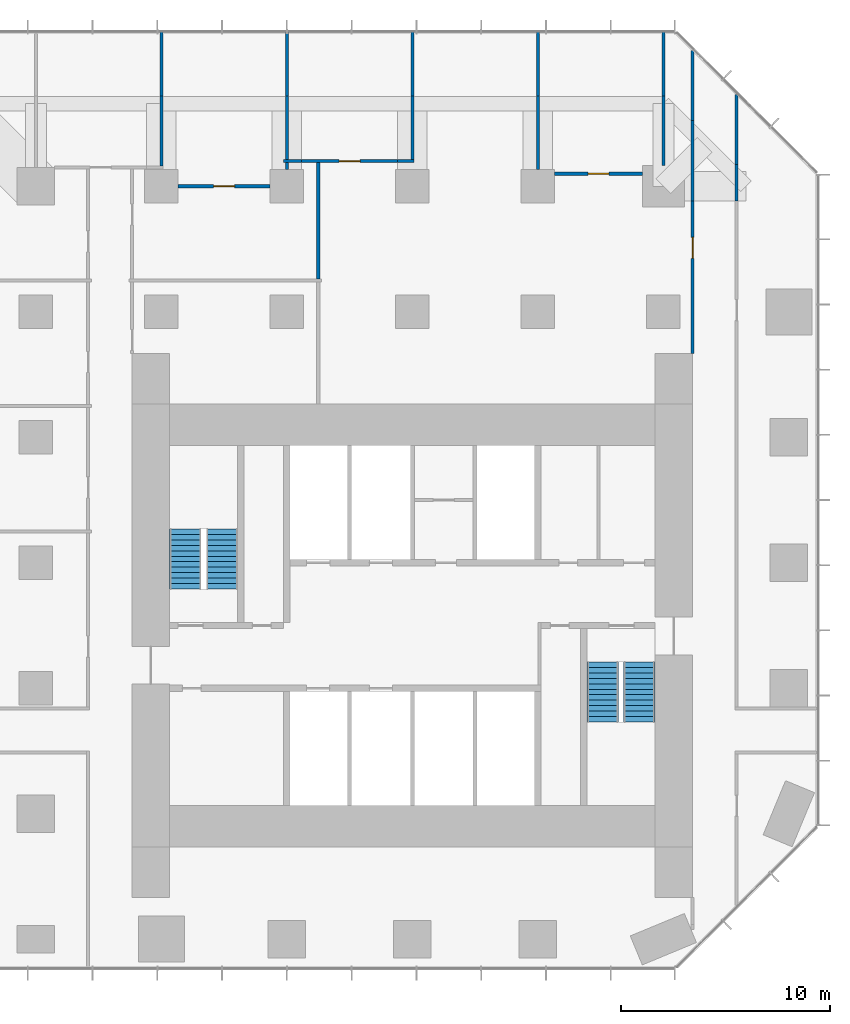
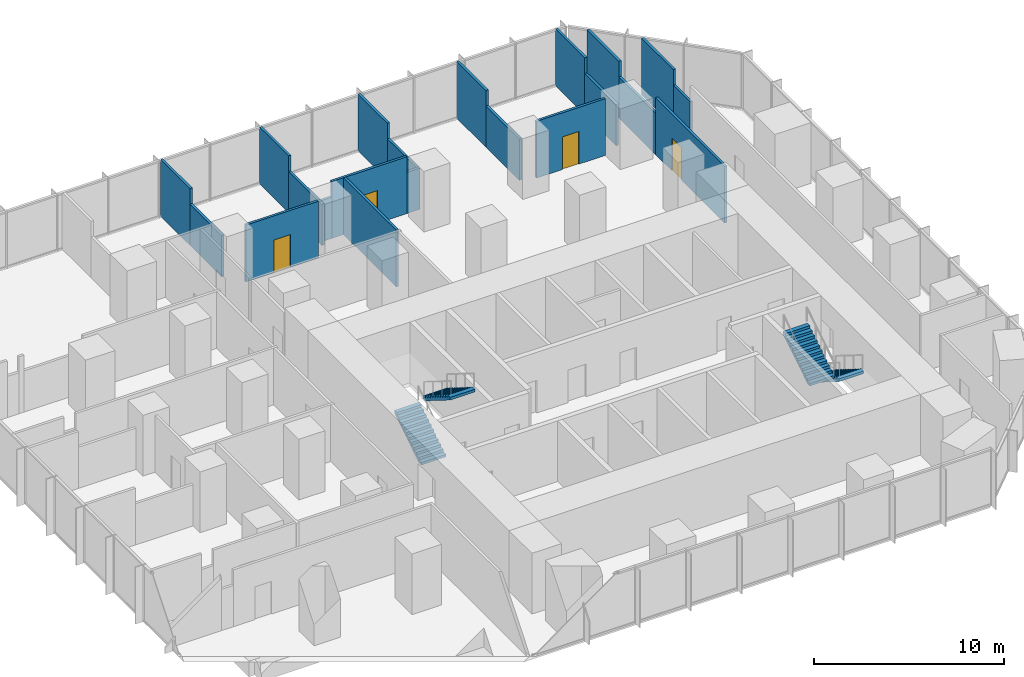
# One storey, part 10 of 11: 22 walls, 4 doors, 4 stair flights, 4 openings, 2 elements without a shape of their own.
"""IFC4 building model written with IfcOpenShell, lengths in metres."""

import ifcopenshell
import ifcopenshell.guid

model = None  # the IFC model being written
_history = None  # IfcOwnerHistory: only IFC2X3 demands one
_inside = {}  # id of a spatial element -> (the spatial element, [elements in it])
_under = {}  # id of a project, library or spatial element -> (it, [spatial elements below it])
_declared = {}  # id of a project -> (the project, [libraries it declares])
_typed = {}  # id of a type object -> (the type object, [elements of that type])
_made_of = {}  # id of a material, layer set ... -> (it, [elements and type objects made of it])


def new_model(schema):
    """Start an empty IFC model of exactly this schema.

    Asked for "IFC4X3", IfcOpenShell would pick the latest addendum, in which some entities
    have other attributes; the version numbers below select the first issue.
    IFC2X3 requires an IfcOwnerHistory on every rooted entity: one is made here for all.
    """
    global model, _history
    if schema == "IFC4X3":
        model = ifcopenshell.file(schema_version=(4, 3, 0, 0))
    else:
        model = ifcopenshell.file(schema=schema)
    _inside.clear()
    _under.clear()
    _declared.clear()
    _typed.clear()
    _made_of.clear()
    _history = None
    if model.schema == "IFC2X3":
        org = make("IfcOrganization", Name="unknown")
        user = make(
            "IfcPersonAndOrganization",
            ThePerson=make("IfcPerson", FamilyName="unknown"),
            TheOrganization=org,
        )
        app = make(
            "IfcApplication",
            ApplicationDeveloper=org,
            Version="unknown",
            ApplicationFullName="unknown",
            ApplicationIdentifier="unknown",
        )
        _history = make(
            "IfcOwnerHistory",
            OwningUser=user,
            OwningApplication=app,
            ChangeAction="ADDED",
            CreationDate=0,
        )
    return model


def make(cls, **values):
    """One entity of the class cls with the attributes given. An attribute that is None is left unset."""
    return model.create_entity(
        cls, **{name: value for name, value in values.items() if value is not None}
    )


def rooted(cls, **values):
    """An entity with a GlobalId (a new one), such as an element, a storey or a relation."""
    return make(cls, GlobalId=ifcopenshell.guid.new(), OwnerHistory=_history, **values)


def si_unit(unit_type, name, prefix=None):
    """IfcSIUnit, for example si_unit("LENGTHUNIT", "METRE", prefix="MILLI")."""
    return make("IfcSIUnit", UnitType=unit_type, Prefix=prefix, Name=name)


def assignment(units):
    """IfcUnitAssignment: the units of a project."""
    return None if units is None else make("IfcUnitAssignment", Units=units)


def point(xyz):
    """IfcCartesianPoint."""
    return None if xyz is None else make("IfcCartesianPoint", Coordinates=xyz)


def direction(xyz):
    """IfcDirection."""
    return None if xyz is None else make("IfcDirection", DirectionRatios=xyz)


def frame(location, z_axis=None, x_axis=None):
    """IfcAxis2Placement3D, a coordinate frame: its origin and axes. An axis left out is left unset."""
    return make(
        "IfcAxis2Placement3D",
        Location=point(location),
        Axis=direction(z_axis),
        RefDirection=direction(x_axis),
    )


def frame_2d(location, x_axis=None):
    """IfcAxis2Placement2D, a coordinate frame in the plane: its origin and x axis."""
    return make(
        "IfcAxis2Placement2D", Location=point(location), RefDirection=direction(x_axis)
    )


def origin():
    """The frame at (0, 0, 0) with its axes left unset."""
    return frame((0.0, 0.0, 0.0))


def place(relative_to, where):
    """IfcLocalPlacement: puts the frame where relative to a parent placement (None: the world)."""
    return make(
        "IfcLocalPlacement", PlacementRelTo=relative_to, RelativePlacement=where
    )


def context(
    kind, dimensions, precision=None, world=None, true_north=None, identifier=None
):
    """IfcGeometricRepresentationContext, for example the 3D "Model" context."""
    return make(
        "IfcGeometricRepresentationContext",
        ContextIdentifier=identifier,
        ContextType=kind,
        CoordinateSpaceDimension=dimensions,
        Precision=precision,
        WorldCoordinateSystem=world,
        TrueNorth=true_north,
    )


def subcontext(parent, identifier, kind, view, scale=None):
    """IfcGeometricRepresentationSubContext, for example "Body" below "Model"."""
    return make(
        "IfcGeometricRepresentationSubContext",
        ContextIdentifier=identifier,
        ContextType=kind,
        ParentContext=parent,
        TargetScale=scale,
        TargetView=view,
    )


def project(units=None, contexts=None):
    """IfcProject with its units and contexts."""
    return rooted(
        "IfcProject",
        Name="project",
        RepresentationContexts=contexts,
        UnitsInContext=assignment(units),
    )


def spatial(cls, under=None, at=None, **own):
    """A site, building, storey or space (cls), placed at a placement, below another one or the project."""
    s = rooted(cls, ObjectPlacement=at, **own)
    if under is not None:
        _under.setdefault(under.id(), (under, []))[1].append(s)
    return s


def polyline(points):
    """IfcPolyline through the points."""
    return make("IfcPolyline", Points=[point(p) for p in points])


def profile(cls, at=None, kind="AREA", **sizes):
    """A parametric profile (cls). Its sizes go by their IFC names, for example OverallWidth=200.0."""
    return make(cls, ProfileType=kind, Position=at, **sizes)


def rectangle(**sizes):
    """IfcRectangleProfileDef."""
    return profile("IfcRectangleProfileDef", **sizes)


def outline(outer, holes=None, kind="AREA"):
    """IfcArbitraryClosedProfileDef: a profile drawn as a closed curve; with holes, ...WithVoids."""
    if holes is None:
        return make("IfcArbitraryClosedProfileDef", ProfileType=kind, OuterCurve=outer)
    return make(
        "IfcArbitraryProfileDefWithVoids",
        ProfileType=kind,
        OuterCurve=outer,
        InnerCurves=holes,
    )


def extrude(swept, where, along, depth):
    """IfcExtrudedAreaSolid: the profile swept, set in the frame where, extruded along a direction by depth."""
    return make(
        "IfcExtrudedAreaSolid",
        SweptArea=swept,
        Position=where,
        ExtrudedDirection=direction(along),
        Depth=depth,
    )


def shape(context_of_items, identifier, shape_type, items):
    """IfcShapeRepresentation: the items that make up one representation, for example the "Body"."""
    return make(
        "IfcShapeRepresentation",
        ContextOfItems=context_of_items,
        RepresentationIdentifier=identifier,
        RepresentationType=shape_type,
        Items=items,
    )


def material(Name=None, Category=None):
    """IfcMaterial."""
    return make("IfcMaterial", Name=Name, Category=Category)


def layer(
    of_material, thickness, ventilated=None, Name=None, Category=None, Priority=None
):
    """IfcMaterialLayer: one layer of a wall or slab, of a material (None: an air gap)."""
    return make(
        "IfcMaterialLayer",
        Material=of_material,
        LayerThickness=thickness,
        IsVentilated=ventilated,
        Name=Name,
        Category=Category,
        Priority=Priority,
    )


def layer_set(layers, Name=None):
    """IfcMaterialLayerSet."""
    return make("IfcMaterialLayerSet", MaterialLayers=layers, LayerSetName=Name)


def made_of(thing, what):
    """Note that an element or type object is made of a material, layer set ...; save() writes the relation."""
    if what is not None:
        _made_of.setdefault(what.id(), (what, []))[1].append(thing)
    return thing


def type_object(cls, material=None, **own):
    """A type object (cls), such as IfcWallType, which elements share."""
    return made_of(rooted(cls, **own), material)


def element(
    cls,
    number,
    at=None,
    inside=None,
    cuts=None,
    type_object=None,
    material=None,
    context=None,
    identifier="Body",
    shape_type=None,
    held_by="IfcProductDefinitionShape",
    body=None,
    shapes=None,
    **own,
):
    """One element of the class cls, such as IfcWall. Its Tag is "e" and its number.

    at: its placement. inside: the storey or other place that contains it. cuts: it is an
    opening in that element (IfcRelVoidsElement). A single representation is given by context,
    identifier, shape_type and body (its items); several are given by shapes. held_by: the class
    of the entity that holds the representations. save() writes the other relations.
    """
    e = rooted(cls, Tag="e%d" % number, ObjectPlacement=at, **own)
    if body is not None:
        shapes = [shape(context, identifier, shape_type, body)]
    if shapes is not None:
        e.Representation = make(held_by, Representations=shapes)
    if inside is not None:
        _inside.setdefault(inside.id(), (inside, []))[1].append(e)
    if cuts is not None:
        rooted(
            "IfcRelVoidsElement", RelatingBuildingElement=cuts, RelatedOpeningElement=e
        )
    if type_object is not None:
        _typed.setdefault(type_object.id(), (type_object, []))[1].append(e)
    return made_of(e, material)


def fill(opening, filler):
    """IfcRelFillsElement: the door or window that sits in an opening."""
    return rooted(
        "IfcRelFillsElement",
        RelatingOpeningElement=opening,
        RelatedBuildingElement=filler,
    )


def aggregate(whole, parts):
    """IfcRelAggregates: a whole, such as a stair, and the parts it consists of."""
    return rooted("IfcRelAggregates", RelatingObject=whole, RelatedObjects=parts)


def save(model, path):
    """Write the relations noted so far, then the file.

    IfcRelAggregates (storeys below a building ...), IfcRelContainedInSpatialStructure (elements
    in a storey), IfcRelDefinesByType, IfcRelAssociatesMaterial and IfcRelDeclares: one each for
    every whole, place, type object, material and project.
    """
    for whole, parts in _under.values():
        aggregate(whole, parts)
    for where, things in _inside.values():
        rooted(
            "IfcRelContainedInSpatialStructure",
            RelatedElements=things,
            RelatingStructure=where,
        )
    for kind, things in _typed.values():
        rooted("IfcRelDefinesByType", RelatedObjects=things, RelatingType=kind)
    for what, things in _made_of.values():
        rooted("IfcRelAssociatesMaterial", RelatedObjects=things, RelatingMaterial=what)
    for by, libraries in _declared.values():
        rooted("IfcRelDeclares", RelatingContext=by, RelatedDefinitions=libraries)
    model.write(path)


model = new_model("IFC4")

# Units and contexts
model_context = context("Model", 3, precision=1e-05, world=origin(), true_north=direction((0.0, 1.0)))
body_context = subcontext(model_context, "Body", "Model", "MODEL_VIEW")
ifc_project = project(units=[si_unit("LENGTHUNIT", "METRE"), si_unit("AREAUNIT", "SQUARE_METRE"), si_unit("VOLUMEUNIT", "CUBIC_METRE"), si_unit("PLANEANGLEUNIT", "RADIAN"), si_unit("MASSUNIT", "GRAM", prefix="KILO")], contexts=[model_context])

# Site, building, storey
site_placement = place(None, origin())
site = spatial("IfcSite", under=ifc_project, at=site_placement, CompositionType="ELEMENT")
building_placement = place(site_placement, origin())
building = spatial("IfcBuilding", under=site, at=building_placement, Name="Highveld Stack Headquarters", CompositionType="ELEMENT")
storey_placement = place(building_placement, frame((0.0, 0.0, 113.300048828125)))
storey = spatial("IfcBuildingStorey", under=building, at=storey_placement, Name="L27", CompositionType="ELEMENT", Elevation=113.300048828125)

# Wall, opening, door
ifc_material_1 = material(Name="Laminated glass in aluminium frame", Category="aluminium")
ifc_layer_1 = layer(ifc_material_1, 0.14990234375)
ifc_layer_set_1 = layer_set([ifc_layer_1], Name="Laminated glass in aluminium frame")
wall_type_1 = type_object("IfcWallType", Name="GLAZED PARTITION 150", PredefinedType="PARTITIONING", material=ifc_layer_set_1)
wall_1_placement = place(storey_placement, frame((-5.199951171875, 24.0, 0.0), z_axis=(0.0, 0.0, 1.0), x_axis=(1.0, 0.0, 0.0)))
wall_1 = element("IfcWall", 1, at=wall_1_placement, inside=storey, type_object=wall_type_1, Name="Glazed partition Meeting room L27", PredefinedType="PARTITIONING", context=body_context, shape_type="SweptSolid", body=[
    extrude(rectangle(XDim=4.39990234375, YDim=0.14990234375, at=frame_2d((2.199951171875, 0.0))), origin(), (0.0, 0.0, 1.0), 3.64990234375),
])
opening_1_placement = place(wall_1_placement, frame((1.699951171875, 0.0, 0.0)))
opening_1 = element("IfcOpeningElement", 2, at=opening_1_placement, cuts=wall_1, Name="Opening L27-14", PredefinedType="OPENING", context=body_context, shape_type="SweptSolid", body=[
    extrude(rectangle(XDim=1.0, YDim=2.10009765625, at=frame_2d((0.5, 1.050048828125))), frame((0.0, 0.0849609375, 0.0), z_axis=(0.0, -1.0, 0.0), x_axis=(1.0, 0.0, 0.0)), (0.0, 0.0, 1.0), 0.169921875),
])
ifc_material_2 = material(Name="Timber door, oiled ash", Category="wood")
door_type = type_object("IfcDoorType", Name="ROOM DOOR D6 1000x2100", OperationType="SINGLE_SWING_LEFT", PredefinedType="DOOR", material=ifc_material_2)
door_1_placement = place(opening_1_placement, origin())
door_1 = element("IfcDoor", 3, at=door_1_placement, inside=storey, type_object=door_type, Name="Meeting room door 1 L27", OperationType="SINGLE_SWING_RIGHT", OverallHeight=2.10009765625, OverallWidth=1.0, PredefinedType="DOOR", context=body_context, shape_type="SweptSolid", body=[
    extrude(rectangle(XDim=1.0, YDim=2.10009765625, at=frame_2d((0.5, 1.050048828125))), frame((0.0, 0.02490234375, 0.0), z_axis=(0.0, -1.0, 0.0), x_axis=(1.0, 0.0, 0.0)), (0.0, 0.0, 1.0), 0.050048828125),
])
fill(opening_1, door_1)

wall_2_placement = place(storey_placement, frame((12.800048828125, 24.60009765625, 0.0), z_axis=(0.0, 0.0, 1.0), x_axis=(1.0, 0.0, 0.0)))
wall_2 = element("IfcWall", 4, at=wall_2_placement, inside=storey, type_object=wall_type_1, Name="Glazed partition Video conference room L27", PredefinedType="PARTITIONING", context=body_context, shape_type="SweptSolid", body=[
    extrude(rectangle(XDim=4.199951171875, YDim=0.14990234375, at=frame_2d((2.10009765625, 0.0))), origin(), (0.0, 0.0, 1.0), 3.64990234375),
])
opening_2_placement = place(wall_2_placement, frame((1.60009765625, 0.0, 0.0)))
opening_2 = element("IfcOpeningElement", 5, at=opening_2_placement, cuts=wall_2, Name="Opening L27-16", PredefinedType="OPENING", context=body_context, shape_type="SweptSolid", body=[
    extrude(rectangle(XDim=1.0, YDim=2.10009765625, at=frame_2d((0.5, 1.050048828125))), frame((0.0, 0.0849609375, 0.0), z_axis=(0.0, -1.0, 0.0), x_axis=(1.0, 0.0, 0.0)), (0.0, 0.0, 1.0), 0.169921875),
])
door_2_placement = place(opening_2_placement, origin())
door_2 = element("IfcDoor", 6, at=door_2_placement, inside=storey, type_object=door_type, Name="Video conference room door 1 L27", OperationType="SINGLE_SWING_LEFT", OverallHeight=2.10009765625, OverallWidth=1.0, PredefinedType="DOOR", context=body_context, shape_type="SweptSolid", body=[
    extrude(rectangle(XDim=1.0, YDim=2.10009765625, at=frame_2d((0.5, 1.050048828125))), frame((0.0, 0.02490234375, 0.0), z_axis=(0.0, -1.0, 0.0), x_axis=(1.0, 0.0, 0.0)), (0.0, 0.0, 1.0), 0.050048828125),
])
fill(opening_2, door_2)

# Wall
ifc_material_3 = material(Name="Gypsum plasterboard on steel studs", Category="steel")
ifc_layer_2 = layer(ifc_material_3, 0.14990234375)
ifc_layer_set_2 = layer_set([ifc_layer_2], Name="Gypsum plasterboard on steel studs")
wall_type_2 = type_object("IfcWallType", Name="PARTITION 150 PLASTERBOARD", PredefinedType="PARTITIONING", material=ifc_layer_set_2)
wall_3_placement = place(storey_placement, frame((-0.14990234375, 25.199951171875, 0.0), z_axis=(0.0, 0.0, 1.0), x_axis=(1.0, 0.0, 0.0)))
element("IfcWall", 7, at=wall_3_placement, inside=storey, type_object=wall_type_2, Name="Partition Tea kitchen L27", PredefinedType="PARTITIONING", context=body_context, shape_type="SweptSolid", body=[
    extrude(rectangle(XDim=0.85986328125, YDim=0.14990234375, at=frame_2d((0.429931640625, 0.0))), origin(), (0.0, 0.0, 1.0), 2.64990234375),
])

# Wall, opening, door
wall_4_placement = place(storey_placement, frame((0.7099609375, 25.199951171875, 0.0), z_axis=(0.0, 0.0, 1.0), x_axis=(1.0, 0.0, 0.0)))
wall_4 = element("IfcWall", 8, at=wall_4_placement, inside=storey, type_object=wall_type_2, Name="Partition Tea kitchen L27", PredefinedType="PARTITIONING", context=body_context, shape_type="SweptSolid", body=[
    extrude(rectangle(XDim=4.580078125, YDim=0.14990234375, at=frame_2d((2.2900390625, 0.0))), origin(), (0.0, 0.0, 1.0), 3.64990234375),
])
opening_3_placement = place(wall_4_placement, frame((1.7900390625, 0.0, 0.0)))
opening_3 = element("IfcOpeningElement", 9, at=opening_3_placement, cuts=wall_4, Name="Opening L27-15", PredefinedType="OPENING", context=body_context, shape_type="SweptSolid", body=[
    extrude(rectangle(XDim=1.0, YDim=2.10009765625, at=frame_2d((0.5, 1.050048828125))), frame((0.0, 0.0849609375, 0.0), z_axis=(0.0, -1.0, 0.0), x_axis=(1.0, 0.0, 0.0)), (0.0, 0.0, 1.0), 0.169921875),
])
door_3_placement = place(opening_3_placement, origin())
door_3 = element("IfcDoor", 10, at=door_3_placement, inside=storey, type_object=door_type, Name="Tea kitchen door 1 L27", OperationType="SINGLE_SWING_LEFT", OverallHeight=2.10009765625, OverallWidth=1.0, PredefinedType="DOOR", context=body_context, shape_type="SweptSolid", body=[
    extrude(rectangle(XDim=1.0, YDim=2.10009765625, at=frame_2d((0.5, 1.050048828125))), frame((0.0, 0.02490234375, 0.0), z_axis=(0.0, -1.0, 0.0), x_axis=(1.0, 0.0, 0.0)), (0.0, 0.0, 1.0), 0.050048828125),
])
fill(opening_3, door_3)

# Walls
wall_5_placement = place(storey_placement, frame((5.2900390625, 25.199951171875, 0.0), z_axis=(0.0, 0.0, 1.0), x_axis=(1.0, 0.0, 0.0)))
element("IfcWall", 11, at=wall_5_placement, inside=storey, type_object=wall_type_2, Name="Partition Tea kitchen L27", PredefinedType="PARTITIONING", context=body_context, shape_type="SweptSolid", body=[
    extrude(rectangle(XDim=0.784912109375, YDim=0.14990234375, at=frame_2d((0.392578125, 0.0))), origin(), (0.0, 0.0, 1.0), 2.64990234375),
])
wall_6_placement = place(storey_placement, frame((-6.0, 24.97509765625, 0.0), z_axis=(0.0, 0.0, 1.0), x_axis=(0.0, 1.0, 0.0)))
element("IfcWall", 12, at=wall_6_placement, inside=storey, type_object=wall_type_2, Name="Partition Interview room / Meeting room L27", PredefinedType="PARTITIONING", context=body_context, shape_type="SweptSolid", body=[
    extrude(rectangle(XDim=3.3349609375, YDim=0.14990234375, at=frame_2d((1.66748046875, 0.0))), origin(), (0.0, 0.0, 1.0), 2.64990234375),
])
wall_7_placement = place(storey_placement, frame((-6.0, 28.31005859375, 0.0), z_axis=(0.0, 0.0, 1.0), x_axis=(0.0, 1.0, 0.0)))
element("IfcWall", 13, at=wall_7_placement, inside=storey, type_object=wall_type_2, Name="Partition Interview room / Meeting room L27", PredefinedType="PARTITIONING", context=body_context, shape_type="SweptSolid", body=[
    extrude(rectangle(XDim=3.08984375, YDim=0.14990234375, at=frame_2d((1.544921875, 0.0))), origin(), (0.0, 0.0, 1.0), 3.64990234375),
])
wall_8_placement = place(storey_placement, frame((0.0, 24.800048828125, 0.0), z_axis=(0.0, 0.0, 1.0), x_axis=(0.0, 1.0, 0.0)))
element("IfcWall", 14, at=wall_8_placement, inside=storey, type_object=wall_type_2, Name="Partition Meeting room L27", PredefinedType="PARTITIONING", context=body_context, shape_type="SweptSolid", body=[
    extrude(rectangle(XDim=0.324951171875, YDim=0.14990234375, at=frame_2d((0.16259765625, 0.0))), origin(), (0.0, 0.0, 1.0), 2.64990234375),
])
wall_9_placement = place(storey_placement, frame((0.0, 25.27490234375, 0.0), z_axis=(0.0, 0.0, 1.0), x_axis=(0.0, 1.0, 0.0)))
element("IfcWall", 15, at=wall_9_placement, inside=storey, type_object=wall_type_2, Name="Partition Meeting room / Tea kitchen L27", PredefinedType="PARTITIONING", context=body_context, shape_type="SweptSolid", body=[
    extrude(rectangle(XDim=3.03515625, YDim=0.14990234375, at=frame_2d((1.517578125, 0.0))), origin(), (0.0, 0.0, 1.0), 2.64990234375),
])
wall_10_placement = place(storey_placement, frame((0.0, 28.31005859375, 0.0), z_axis=(0.0, 0.0, 1.0), x_axis=(0.0, 1.0, 0.0)))
element("IfcWall", 16, at=wall_10_placement, inside=storey, type_object=wall_type_2, Name="Partition Meeting room / Tea kitchen L27", PredefinedType="PARTITIONING", context=body_context, shape_type="SweptSolid", body=[
    extrude(rectangle(XDim=3.0400390625, YDim=0.14990234375, at=frame_2d((1.52001953125, 0.0))), origin(), (0.0, 0.0, 1.0), 3.64990234375),
])
wall_11_placement = place(storey_placement, frame((6.0, 25.27490234375, 0.0), z_axis=(0.0, 0.0, 1.0), x_axis=(0.0, 1.0, 0.0)))
element("IfcWall", 17, at=wall_11_placement, inside=storey, type_object=wall_type_2, Name="Partition Tea kitchen L27", PredefinedType="PARTITIONING", context=body_context, shape_type="SweptSolid", body=[
    extrude(rectangle(XDim=3.03515625, YDim=0.14990234375, at=frame_2d((1.517578125, 0.0))), origin(), (0.0, 0.0, 1.0), 2.64990234375),
])
wall_12_placement = place(storey_placement, frame((6.0, 28.31005859375, 0.0), z_axis=(0.0, 0.0, 1.0), x_axis=(0.0, 1.0, 0.0)))
element("IfcWall", 18, at=wall_12_placement, inside=storey, type_object=wall_type_2, Name="Partition Tea kitchen L27", PredefinedType="PARTITIONING", context=body_context, shape_type="SweptSolid", body=[
    extrude(rectangle(XDim=3.08984375, YDim=0.14990234375, at=frame_2d((1.544921875, 0.0))), origin(), (0.0, 0.0, 1.0), 3.64990234375),
])
wall_13_placement = place(storey_placement, frame((12.0, 24.800048828125, 0.0), z_axis=(0.0, 0.0, 1.0), x_axis=(0.0, 1.0, 0.0)))
element("IfcWall", 19, at=wall_13_placement, inside=storey, type_object=wall_type_2, Name="Partition Video conference room L27", PredefinedType="PARTITIONING", context=body_context, shape_type="SweptSolid", body=[
    extrude(rectangle(XDim=3.510009765625, YDim=0.14990234375, at=frame_2d((1.7548828125, 0.0))), origin(), (0.0, 0.0, 1.0), 2.64990234375),
])
wall_14_placement = place(storey_placement, frame((12.0, 28.31005859375, 0.0), z_axis=(0.0, 0.0, 1.0), x_axis=(0.0, 1.0, 0.0)))
element("IfcWall", 20, at=wall_14_placement, inside=storey, type_object=wall_type_2, Name="Partition Video conference room L27", PredefinedType="PARTITIONING", context=body_context, shape_type="SweptSolid", body=[
    extrude(rectangle(XDim=3.08984375, YDim=0.14990234375, at=frame_2d((1.544921875, 0.0))), origin(), (0.0, 0.0, 1.0), 3.64990234375),
])
wall_15_placement = place(storey_placement, frame((18.0, 25.0, 0.0), z_axis=(0.0, 0.0, 1.0), x_axis=(0.0, 1.0, 0.0)))
element("IfcWall", 21, at=wall_15_placement, inside=storey, type_object=wall_type_2, Name="Partition Video conference room L27", PredefinedType="PARTITIONING", context=body_context, shape_type="SweptSolid", body=[
    extrude(rectangle(XDim=3.31005859375, YDim=0.14990234375, at=frame_2d((1.655029296875, 0.0))), origin(), (0.0, 0.0, 1.0), 2.64990234375),
])
wall_16_placement = place(storey_placement, frame((18.0, 28.31005859375, 0.0), z_axis=(0.0, 0.0, 1.0), x_axis=(0.0, 1.0, 0.0)))
element("IfcWall", 22, at=wall_16_placement, inside=storey, type_object=wall_type_2, Name="Partition Video conference room L27", PredefinedType="PARTITIONING", context=body_context, shape_type="SweptSolid", body=[
    extrude(rectangle(XDim=3.08984375, YDim=0.14990234375, at=frame_2d((1.544921875, 0.0))), origin(), (0.0, 0.0, 1.0), 3.64990234375),
])
wall_17_placement = place(storey_placement, frame((1.5, 19.574951171875, 0.0), z_axis=(0.0, 0.0, 1.0), x_axis=(0.0, 1.0, 0.0)))
element("IfcWall", 23, at=wall_17_placement, inside=storey, type_object=wall_type_2, Name="Partition office neighbourhood L27", PredefinedType="PARTITIONING", context=body_context, shape_type="SweptSolid", body=[
    extrude(rectangle(XDim=5.550048828125, YDim=0.14990234375, at=frame_2d((2.77490234375, 0.0))), origin(), (0.0, 0.0, 1.0), 3.64990234375),
])

# Wall, opening, door
wall_18_placement = place(storey_placement, frame((19.39990234375, 16.0, 0.0), z_axis=(0.0, 0.0, 1.0), x_axis=(0.0, 1.0, 0.0)))
wall_18 = element("IfcWall", 24, at=wall_18_placement, inside=storey, type_object=wall_type_2, Name="Partition office neighbourhood L27", PredefinedType="PARTITIONING", context=body_context, shape_type="SweptSolid", body=[
    extrude(rectangle(XDim=7.2900390625, YDim=0.14990234375, at=frame_2d((3.64501953125, 0.0))), origin(), (0.0, 0.0, 1.0), 3.64990234375),
])
opening_4_placement = place(wall_18_placement, frame((4.553955078125, 0.0, 0.0)))
opening_4 = element("IfcOpeningElement", 25, at=opening_4_placement, cuts=wall_18, Name="Opening L27-24", PredefinedType="OPENING", context=body_context, shape_type="SweptSolid", body=[
    extrude(rectangle(XDim=1.0, YDim=2.10009765625, at=frame_2d((0.5, 1.050048828125))), frame((0.0, 0.0849609375, 0.0), z_axis=(0.0, -1.0, 0.0), x_axis=(1.0, 0.0, 0.0)), (0.0, 0.0, 1.0), 0.169921875),
])
door_4_placement = place(opening_4_placement, origin())
door_4 = element("IfcDoor", 26, at=door_4_placement, inside=storey, type_object=door_type, Name="Office neighbourhood door L27", OperationType="SINGLE_SWING_RIGHT", OverallHeight=2.10009765625, OverallWidth=1.0, PredefinedType="DOOR", context=body_context, shape_type="SweptSolid", body=[
    extrude(rectangle(XDim=1.0, YDim=2.10009765625, at=frame_2d((0.5, 1.050048828125))), frame((0.0, 0.02490234375, 0.0), z_axis=(0.0, -1.0, 0.0), x_axis=(1.0, 0.0, 0.0)), (0.0, 0.0, 1.0), 0.050048828125),
])
fill(opening_4, door_4)

# Walls
wall_19_placement = place(storey_placement, frame((19.39990234375, 23.2900390625, 0.0), z_axis=(0.0, 0.0, 1.0), x_axis=(0.0, 1.0, 0.0)))
element("IfcWall", 27, at=wall_19_placement, inside=storey, type_object=wall_type_2, Name="Partition office neighbourhood L27", PredefinedType="PARTITIONING", context=body_context, shape_type="SweptSolid", body=[
    extrude(rectangle(XDim=3.849853515625, YDim=0.14990234375, at=frame_2d((1.9248046875, 0.0))), origin(), (0.0, 0.0, 1.0), 2.64990234375),
])
wall_20_placement = place(storey_placement, frame((19.39990234375, 27.139892578125, 0.0), z_axis=(0.0, 0.0, 1.0), x_axis=(0.0, 1.0, 0.0)))
element("IfcWall", 28, at=wall_20_placement, inside=storey, type_object=wall_type_2, Name="Partition office neighbourhood L27", PredefinedType="PARTITIONING", context=body_context, shape_type="SweptSolid", body=[
    extrude(rectangle(XDim=3.34912109375, YDim=0.14990234375, at=frame_2d((1.674560546875, 0.0))), origin(), (0.0, 0.0, 1.0), 3.64990234375),
])
wall_21_placement = place(storey_placement, frame((21.5, 23.2900390625, 0.0), z_axis=(0.0, 0.0, 1.0), x_axis=(0.0, 1.0, 0.0)))
element("IfcWall", 29, at=wall_21_placement, inside=storey, type_object=wall_type_2, Name="Partition office neighbourhood L27", PredefinedType="PARTITIONING", context=body_context, shape_type="SweptSolid", body=[
    extrude(rectangle(XDim=1.75, YDim=0.14990234375, at=frame_2d((0.875, 0.0))), origin(), (0.0, 0.0, 1.0), 2.64990234375),
])
wall_22_placement = place(storey_placement, frame((21.5, 25.0400390625, 0.0), z_axis=(0.0, 0.0, 1.0), x_axis=(0.0, 1.0, 0.0)))
element("IfcWall", 30, at=wall_22_placement, inside=storey, type_object=wall_type_2, Name="Partition office neighbourhood L27", PredefinedType="PARTITIONING", context=body_context, shape_type="SweptSolid", body=[
    extrude(rectangle(XDim=3.347900390625, YDim=0.14990234375, at=frame_2d((1.673828125, 0.0))), origin(), (0.0, 0.0, 1.0), 3.64990234375),
])

# Stair, stair flights
ifc_material_4 = material(Name="Concrete C40/50, precast", Category="concrete")
stair_type_1 = type_object("IfcStairType", Name="STAIR S1 HALF TURN 1500", PredefinedType="HALF_TURN_STAIR", material=ifc_material_4)
stair_1_placement = place(storey_placement, origin())
stair_1 = element("IfcStair", 31, at=stair_1_placement, inside=storey, type_object=stair_type_1, Name="Stair S1 L27", PredefinedType="HALF_TURN_STAIR")
ifc_material_5 = material(Name="Concrete C40/50, precast", Category="concrete")
stair_flight_type = type_object("IfcStairFlightType", Name="STAIR FLIGHT 1500 PRECAST", PredefinedType="STRAIGHT", material=ifc_material_5)
stair_flight_1_placement = place(storey_placement, frame((-4.85009765625, 4.75, 0.0), z_axis=(0.0, 0.0, 1.0), x_axis=(0.0, 1.0, 0.0)))
stair_flight_1 = element("IfcStairFlight", 32, at=stair_flight_1_placement, type_object=stair_flight_type, Name="S1 flight 1", NumberOfRisers=12, NumberOfTreads=11, PredefinedType="STRAIGHT", RiserHeight=0.1625, TreadLength=0.26, context=body_context, shape_type="SweptSolid", body=[
    extrude(outline(polyline([(0.0, 0.0), (0.0, 0.16259765625), (0.260009765625, 0.16259765625), (0.260009765625, 0.324951171875), (0.52001953125, 0.324951171875), (0.52001953125, 0.487548828125), (0.780029296875, 0.487548828125), (0.780029296875, 0.64990234375), (1.0400390625, 0.64990234375), (1.0400390625, 0.8125), (1.300048828125, 0.8125), (1.300048828125, 0.97509765625), (1.56005859375, 0.97509765625), (1.56005859375, 1.137451171875), (1.820068359375, 1.137451171875), (1.820068359375, 1.300048828125), (2.080078125, 1.300048828125), (2.080078125, 1.46240234375), (2.340087890625, 1.46240234375), (2.340087890625, 1.625), (2.60009765625, 1.625), (2.60009765625, 1.78759765625), (2.860107421875, 1.78759765625), (2.860107421875, 1.949951171875), (2.860107421875, 1.61083984375), (0.28271484375, 0.0), (0.0, 0.0)])), frame((0.0, 0.75, 0.0), z_axis=(0.0, -1.0, 0.0), x_axis=(1.0, 0.0, 0.0)), (0.0, 0.0, 1.0), 1.5),
])
stair_flight_2_placement = place(storey_placement, frame((-3.10009765625, 7.610107421875, 1.949951171875), z_axis=(0.0, 0.0, 1.0), x_axis=(0.0, -1.0, 0.0)))
stair_flight_2 = element("IfcStairFlight", 33, at=stair_flight_2_placement, type_object=stair_flight_type, Name="S1 flight 2", NumberOfRisers=12, NumberOfTreads=11, PredefinedType="STRAIGHT", RiserHeight=0.1625, TreadLength=0.26, context=body_context, shape_type="SweptSolid", body=[
    extrude(outline(polyline([(0.0, 0.0), (0.0, 0.16259765625), (0.260009765625, 0.16259765625), (0.260009765625, 0.324951171875), (0.52001953125, 0.324951171875), (0.52001953125, 0.487548828125), (0.780029296875, 0.487548828125), (0.780029296875, 0.64990234375), (1.0400390625, 0.64990234375), (1.0400390625, 0.8125), (1.300048828125, 0.8125), (1.300048828125, 0.97509765625), (1.56005859375, 0.97509765625), (1.56005859375, 1.137451171875), (1.820068359375, 1.137451171875), (1.820068359375, 1.300048828125), (2.080078125, 1.300048828125), (2.080078125, 1.46240234375), (2.340087890625, 1.46240234375), (2.340087890625, 1.625), (2.60009765625, 1.625), (2.60009765625, 1.78759765625), (2.860107421875, 1.78759765625), (2.860107421875, 1.949951171875), (2.860107421875, 1.61083984375), (0.28271484375, 0.0), (0.0, 0.0)])), frame((0.0, 0.75, 0.0), z_axis=(0.0, -1.0, 0.0), x_axis=(1.0, 0.0, 0.0)), (0.0, 0.0, 1.0), 1.5),
])
aggregate(stair_1, [stair_flight_1, stair_flight_2])

ifc_material_6 = material(Name="Concrete C40/50, precast", Category="concrete")
stair_type_2 = type_object("IfcStairType", Name="STAIR S2 HALF TURN 1500", PredefinedType="HALF_TURN_STAIR", material=ifc_material_6)
stair_2_placement = place(storey_placement, origin())
stair_2 = element("IfcStair", 34, at=stair_2_placement, inside=storey, type_object=stair_type_2, Name="Stair S2 L27", PredefinedType="HALF_TURN_STAIR")
stair_flight_3_placement = place(storey_placement, frame((16.85009765625, 1.25, 0.0), z_axis=(0.0, 0.0, 1.0), x_axis=(0.0, -1.0, 0.0)))
stair_flight_3 = element("IfcStairFlight", 35, at=stair_flight_3_placement, type_object=stair_flight_type, Name="S2 flight 1", NumberOfRisers=12, NumberOfTreads=11, PredefinedType="STRAIGHT", RiserHeight=0.1625, TreadLength=0.26, context=body_context, shape_type="SweptSolid", body=[
    extrude(outline(polyline([(0.0, 0.0), (0.0, 0.16259765625), (0.260009765625, 0.16259765625), (0.260009765625, 0.324951171875), (0.52001953125, 0.324951171875), (0.52001953125, 0.487548828125), (0.780029296875, 0.487548828125), (0.780029296875, 0.64990234375), (1.0400390625, 0.64990234375), (1.0400390625, 0.8125), (1.300048828125, 0.8125), (1.300048828125, 0.97509765625), (1.56005859375, 0.97509765625), (1.56005859375, 1.137451171875), (1.820068359375, 1.137451171875), (1.820068359375, 1.300048828125), (2.080078125, 1.300048828125), (2.080078125, 1.46240234375), (2.340087890625, 1.46240234375), (2.340087890625, 1.625), (2.60009765625, 1.625), (2.60009765625, 1.78759765625), (2.860107421875, 1.78759765625), (2.860107421875, 1.949951171875), (2.860107421875, 1.61083984375), (0.28271484375, 0.0), (0.0, 0.0)])), frame((0.0, 0.75, 0.0), z_axis=(0.0, -1.0, 0.0), x_axis=(1.0, 0.0, 0.0)), (0.0, 0.0, 1.0), 1.5),
])
stair_flight_4_placement = place(storey_placement, frame((15.10009765625, -1.610107421875, 1.949951171875), z_axis=(0.0, 0.0, 1.0), x_axis=(0.0, 1.0, 0.0)))
stair_flight_4 = element("IfcStairFlight", 36, at=stair_flight_4_placement, type_object=stair_flight_type, Name="S2 flight 2", NumberOfRisers=12, NumberOfTreads=11, PredefinedType="STRAIGHT", RiserHeight=0.1625, TreadLength=0.26, context=body_context, shape_type="SweptSolid", body=[
    extrude(outline(polyline([(0.0, 0.0), (0.0, 0.16259765625), (0.260009765625, 0.16259765625), (0.260009765625, 0.324951171875), (0.52001953125, 0.324951171875), (0.52001953125, 0.487548828125), (0.780029296875, 0.487548828125), (0.780029296875, 0.64990234375), (1.0400390625, 0.64990234375), (1.0400390625, 0.8125), (1.300048828125, 0.8125), (1.300048828125, 0.97509765625), (1.56005859375, 0.97509765625), (1.56005859375, 1.137451171875), (1.820068359375, 1.137451171875), (1.820068359375, 1.300048828125), (2.080078125, 1.300048828125), (2.080078125, 1.46240234375), (2.340087890625, 1.46240234375), (2.340087890625, 1.625), (2.60009765625, 1.625), (2.60009765625, 1.78759765625), (2.860107421875, 1.78759765625), (2.860107421875, 1.949951171875), (2.860107421875, 1.61083984375), (0.28271484375, 0.0), (0.0, 0.0)])), frame((0.0, 0.75, 0.0), z_axis=(0.0, -1.0, 0.0), x_axis=(1.0, 0.0, 0.0)), (0.0, 0.0, 1.0), 1.5),
])
aggregate(stair_2, [stair_flight_3, stair_flight_4])

save(model, "model.ifc")
